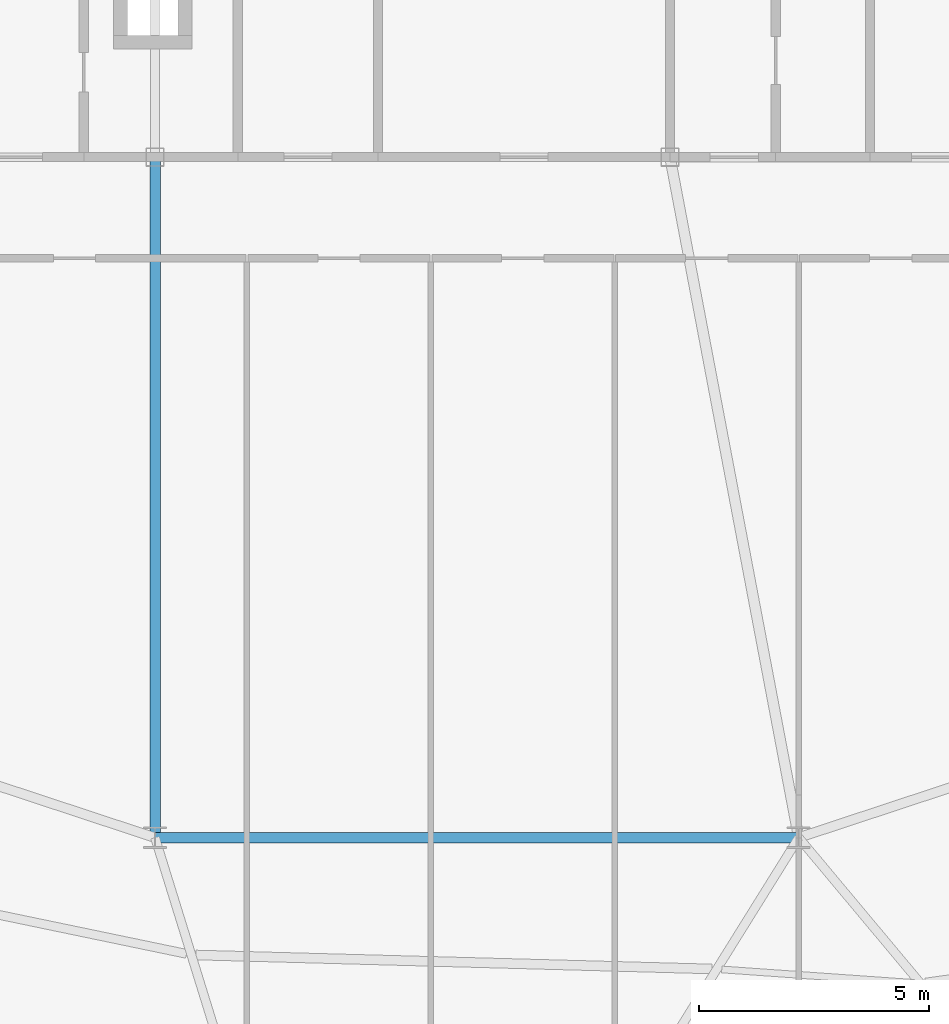
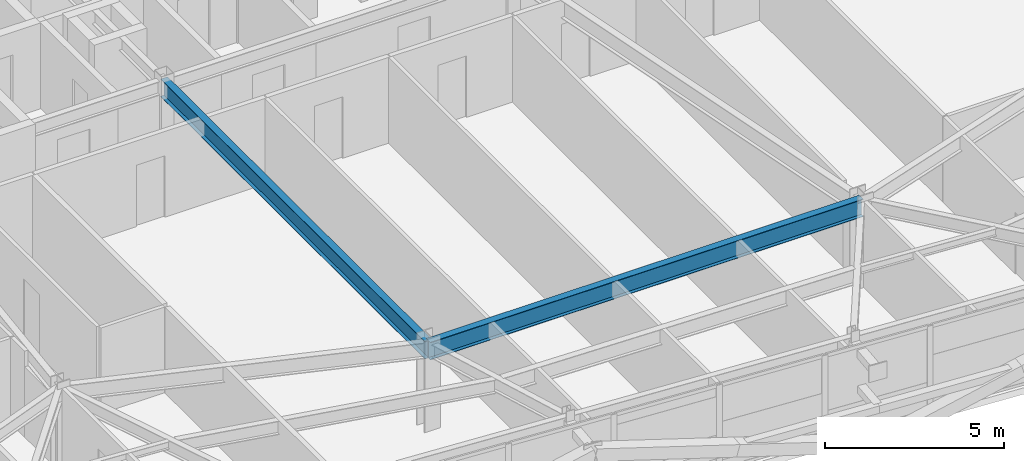
# One storey, part 13 of 47: 2 beams.
"""IFC4 building model written with IfcOpenShell, lengths in metres."""

from ifc_helpers import new_model, si_unit, direction, frame, origin, origin_2d, place, context, subcontext, project, spatial, i_section, extrude, source, transform, mapped, material, material_profile, profile_set, type_object, element, save


model = new_model("IFC4")

# Units and contexts
model_context = context("Model", 3, precision=1e-05, world=origin(), true_north=direction((0.0, 1.0)))
body_context = subcontext(model_context, "Body", "Model", "MODEL_VIEW")
ifc_project = project(units=[si_unit("LENGTHUNIT", "METRE"), si_unit("AREAUNIT", "SQUARE_METRE"), si_unit("VOLUMEUNIT", "CUBIC_METRE"), si_unit("PLANEANGLEUNIT", "RADIAN"), si_unit("MASSUNIT", "GRAM", prefix="KILO")], contexts=[model_context])

# Site, building, storey
site_placement = place(None, origin())
site = spatial("IfcSite", under=ifc_project, at=site_placement, CompositionType="ELEMENT")
building_placement = place(site_placement, origin())
building = spatial("IfcBuilding", under=site, at=building_placement, Name="Taldren Reach Tower", CompositionType="ELEMENT")
storey_placement = place(building_placement, frame((0.0, 0.0, 142.449951171875)))
storey = spatial("IfcBuildingStorey", under=building, at=storey_placement, Name="L43", CompositionType="ELEMENT", Elevation=142.449951171875)

# Beams
ifc_material = material(Name="Steel Gr 350 (350PLUS)", Category="steel")
ifc_material_profile = material_profile(ifc_material, i_section(OverallWidth=0.22802734375, OverallDepth=0.60205078125, WebThickness=0.010498046875, FlangeThickness=0.014892578125, at=origin_2d()), Name="610UB101")
ifc_profile_set = profile_set([ifc_material_profile], Name="Steel Gr 350 (350PLUS)")
beam_type = type_object("IfcBeamType", Name="BM-UB610B", PredefinedType="BEAM", material=ifc_profile_set)
shared_shape_1 = source(origin(), body_context, "Body", "SweptSolid", [
    extrude(i_section(OverallWidth=0.22802734375, OverallDepth=0.60205078125, WebThickness=0.010498046875, FlangeThickness=0.014892578125, at=origin_2d()), origin(), (0.0, 0.0, 1.0), 14.0),
])
beam_1_placement = place(storey_placement, frame((28.0, 9.199951171875, 2.629150390625), z_axis=(1.0, 0.0, 0.0), x_axis=(0.0, 1.0, 0.0)))
element("IfcBeam", 1, at=beam_1_placement, inside=storey, type_object=beam_type, Name="Core-spine girder L43-SP11", PredefinedType="BEAM", context=body_context, shape_type="MappedRepresentation", body=[
    mapped(shared_shape_1, transform((0.0, 0.0, 0.0), scale=1.0)),
])
shared_shape_2 = source(origin(), body_context, "Body", "SweptSolid", [
    extrude(i_section(OverallWidth=0.22802734375, OverallDepth=0.60205078125, WebThickness=0.010498046875, FlangeThickness=0.014892578125, at=origin_2d()), origin(), (0.0, 0.0, 1.0), 14.800048828125),
])
beam_2_placement = place(storey_placement, frame((28.0, 24.0, 2.629150390625), z_axis=(0.0, -1.0, 0.0), x_axis=(1.0, 0.0, 0.0)))
element("IfcBeam", 2, at=beam_2_placement, inside=storey, type_object=beam_type, Name="Core-spine girder L43-SP14", PredefinedType="BEAM", context=body_context, shape_type="MappedRepresentation", body=[
    mapped(shared_shape_2, transform((0.0, 0.0, 0.0), scale=1.0)),
])

save(model, "model.ifc")
